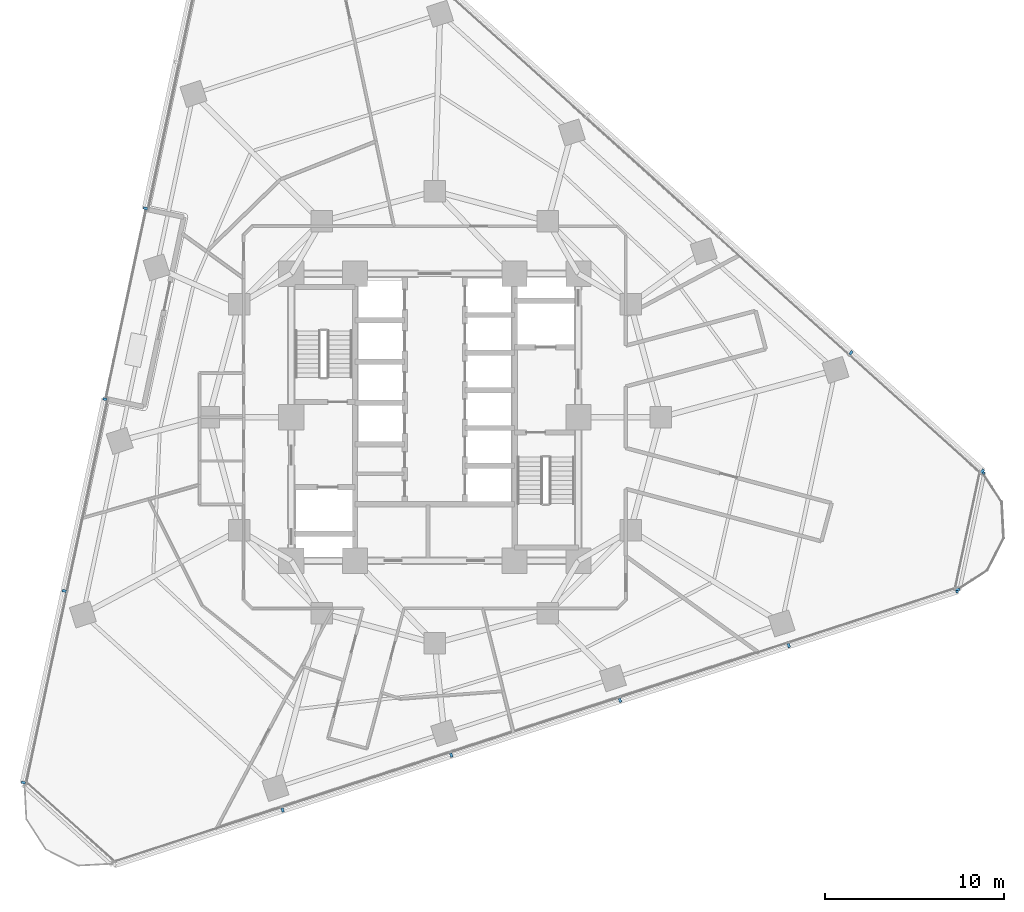
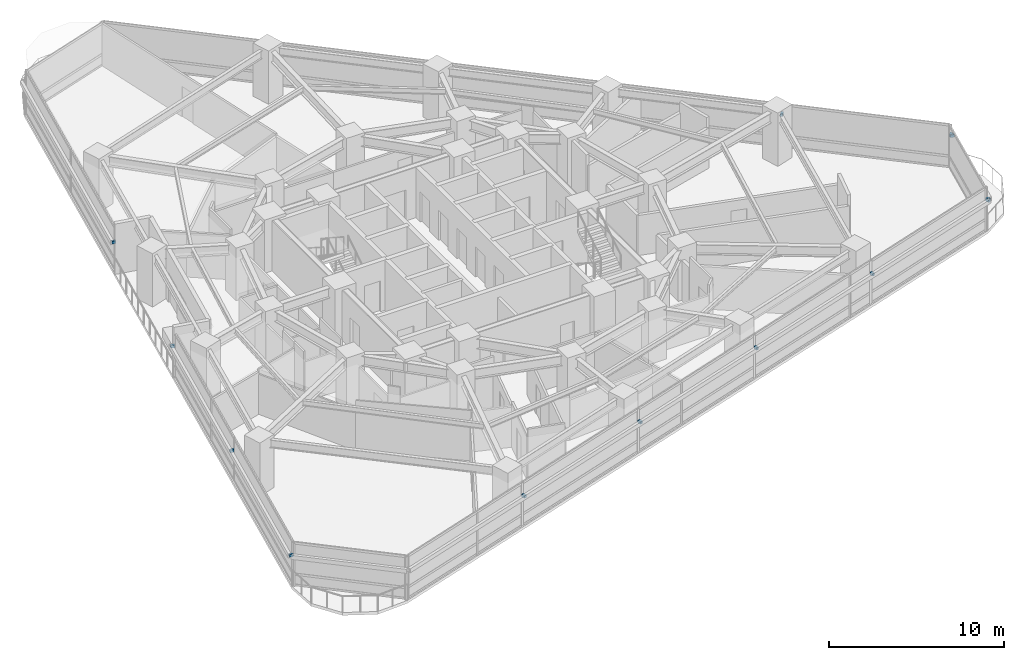
# One storey, part 10 of 14: 13 discrete accessories.
"""IFC4 building model written with IfcOpenShell, lengths in metres."""

from ifc_helpers import new_model, si_unit, direction, frame, origin, origin_2d, place, context, subcontext, project, spatial, rectangle, extrude, material, type_object, element, save


model = new_model("IFC4")

# Units and contexts
model_context = context("Model", 3, precision=1e-05, world=origin(), true_north=direction((0.0, 1.0)))
body_context = subcontext(model_context, "Body", "Model", "MODEL_VIEW")
ifc_project = project(units=[si_unit("LENGTHUNIT", "METRE"), si_unit("AREAUNIT", "SQUARE_METRE"), si_unit("VOLUMEUNIT", "CUBIC_METRE"), si_unit("PLANEANGLEUNIT", "RADIAN"), si_unit("MASSUNIT", "GRAM", prefix="KILO")], contexts=[model_context])

# Site, building, storey
site_placement = place(None, origin())
site = spatial("IfcSite", under=ifc_project, at=site_placement, CompositionType="ELEMENT")
building_placement = place(site_placement, origin())
building = spatial("IfcBuilding", under=site, at=building_placement, Name="Terralouvre Media Tower", CompositionType="ELEMENT")
storey_placement = place(building_placement, frame((0.0, 0.0, 97.699951171875)))
storey = spatial("IfcBuildingStorey", under=building, at=storey_placement, Name="L24", CompositionType="ELEMENT", Elevation=97.699951171875)

# Discrete accessories
ifc_material = material(Name="Anodised extruded aluminium 6063-T6", Category="aluminium")
discrete_accessory_type = type_object("IfcDiscreteAccessoryType", Name="Mullion Stand-Off Baguette Fixing Bracket BK-01", PredefinedType="BRACKET", material=ifc_material)
for number, where, z_axis, x_axis, name in (
    (1, (-8.484375, -21.885009765625, 2.07421875), (0.0, 0.0, 1.0), (0.951056509451, 0.309017015439, 0.0), "CW-L24-F0 Baguette Outrigger Bracket 1.02"),
    (2, (0.919677734375, -18.82958984375, 2.07421875), (0.0, 0.0, 1.0), (0.951056509451, 0.309017015439, 0.0), "CW-L24-F0 Baguette Outrigger Bracket 1.03"),
    (3, (10.32373046875, -15.77392578125, 2.07421875), (0.0, 0.0, 1.0), (0.951056509451, 0.309017015439, 0.0), "CW-L24-F0 Baguette Outrigger Bracket 1.04"),
    (4, (19.727783203125, -12.71826171875, 2.07421875), (0.0, 0.0, 1.0), (0.951056509451, 0.309017015439, 0.0), "CW-L24-F0 Baguette Outrigger Bracket 1.05"),
    (5, (29.09619140625, -9.67431640625, 2.07421875), (0.0, 0.0, 1.0), (0.951056509451, 0.309017015439, 0.0), "CW-L24-F0 Baguette Outrigger Bracket 1.06"),
    (6, (30.515625, -2.996337890625, 2.07421875), (0.0, 0.0, 1.0), (-0.743144795545, 0.669130639602, 0.0), "CW-L24-F1 Baguette Outrigger Bracket 1.01"),
    (7, (23.1953125, 3.5947265625, 2.07421875), (0.0, 0.0, 1.0), (-0.743144795545, 0.669130639602, 0.0), "CW-L24-F1 Baguette Outrigger Bracket 1.02"),
    (8, (-16.12353515625, 11.644287109375, 2.07421875), (0.0, 0.0, 1.0), (-0.207912038726, -0.978147526784, 0.0), "CW-L24-F2L Baguette Outrigger Bracket 1.03"),
    (9, (-18.384521484375, 1.0068359375, 2.07421875), (0.0, 0.0, 1.0), (-0.207911211217, -0.978147702676, 0.0), "CW-L24-F2R Baguette Outrigger Bracket 1.01"),
    (10, (-20.655517578125, -9.677001953125, 2.07421875), (0.0, 0.0, 1.0), (-0.207911211217, -0.978147702676, 0.0), "CW-L24-F2R Baguette Outrigger Bracket 1.02"),
    (11, (-22.92626953125, -20.36083984375, 2.07421875), (0.0, 0.0, 1.0), (-0.207911211217, -0.978147702676, 0.0), "CW-L24-F2R Baguette Outrigger Bracket 1.03"),
    (12, (29.146728515625, -9.59228515625, 2.07421875), (0.0, 0.0, 1.0), (0.207911611348, 0.978147617626, 0.0), "CW-L24-C1 Baguette Outrigger Bracket 1.01"),
    (13, (30.5283203125, -3.092041015625, 2.07421875), (0.0, 0.0, 1.0), (0.207911611348, 0.978147617626, 0.0), "CW-L24-C1 Baguette Outrigger Bracket 1.02"),
):
    element("IfcDiscreteAccessory", number, at=place(storey_placement, frame(where, z_axis=z_axis, x_axis=x_axis)), inside=storey, type_object=discrete_accessory_type, Name=name, PredefinedType="BRACKET", context=body_context, shape_type="SweptSolid", body=[
        extrude(rectangle(XDim=0.139892578125, YDim=0.239990234375, at=origin_2d()), origin(), (0.0, 0.0, 1.0), 0.179931640625),
    ])

save(model, "model.ifc")
